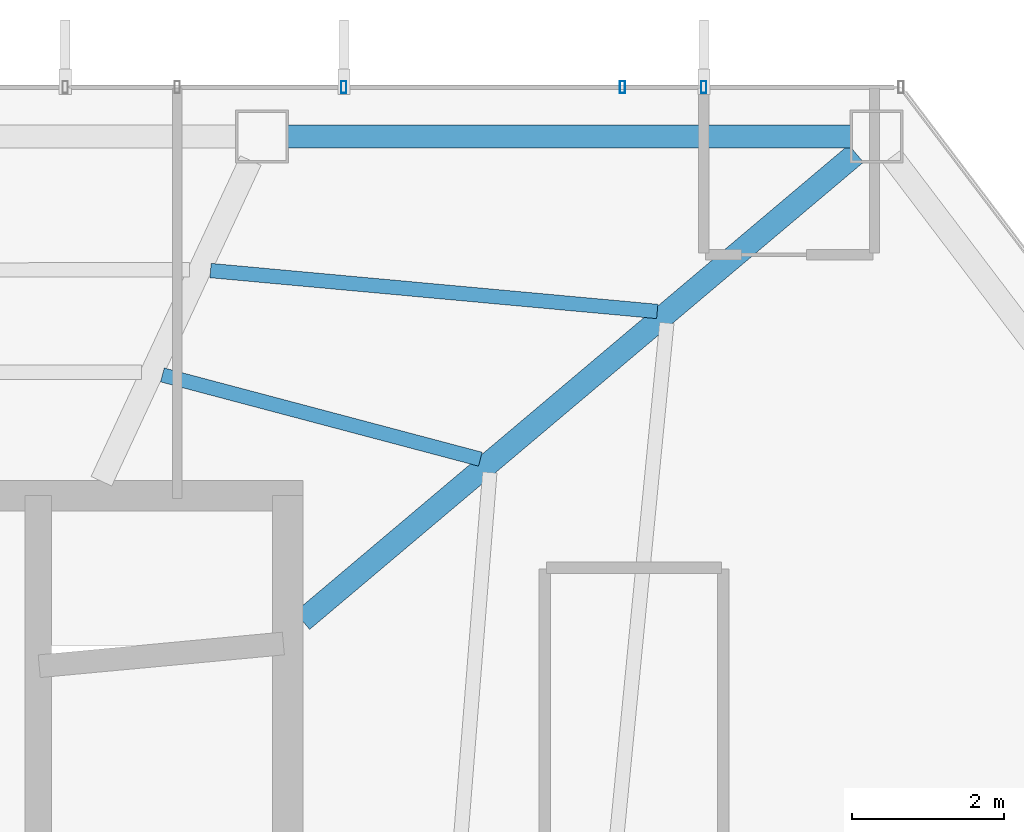
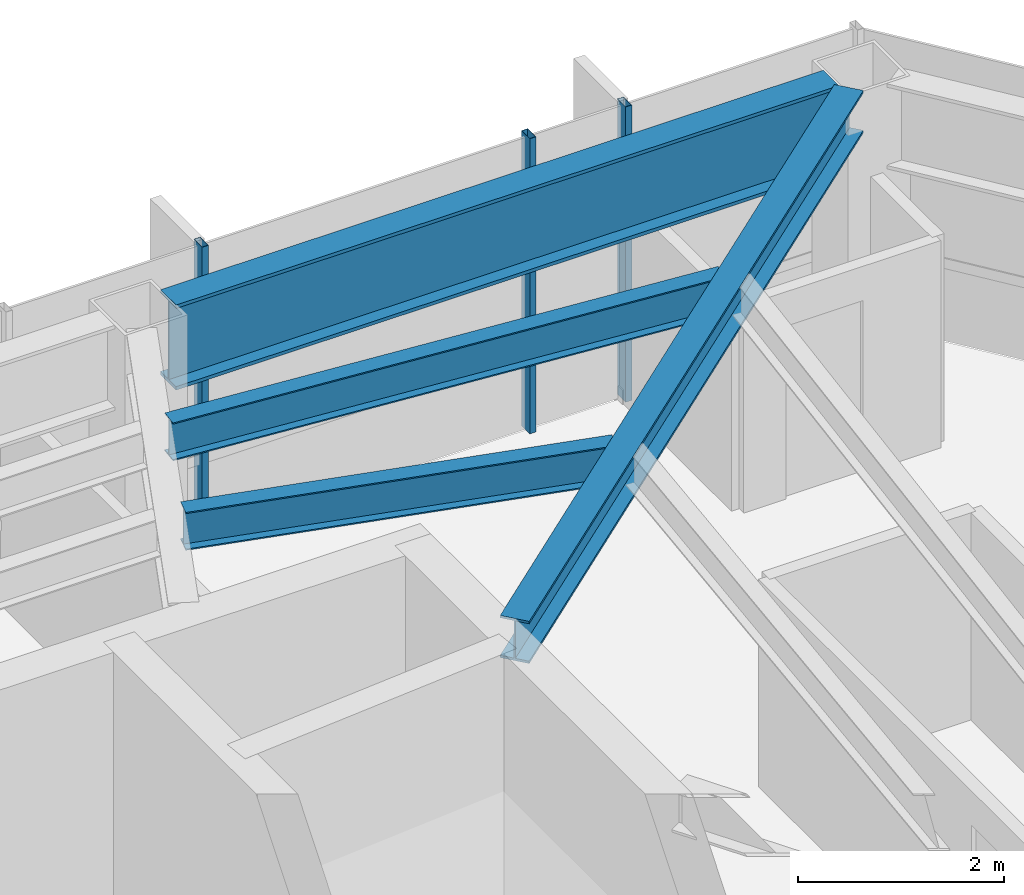
# One storey, part 22 of 28: 4 beams, 3 members, 1 element without a shape of its own.
"""IFC4 building model written with IfcOpenShell, lengths in metres."""

from ifc_helpers import new_model, si_unit, direction, frame, origin, origin_2d, place, context, subcontext, project, spatial, hollow_rectangle, i_section, extrude, material, layer, layer_set, material_profile, profile_set, type_object, element, aggregate, save


model = new_model("IFC4")

# Units and contexts
model_context = context("Model", 3, precision=1e-05, world=origin(), true_north=direction((0.0, 1.0)))
body_context = subcontext(model_context, "Body", "Model", "MODEL_VIEW")
ifc_project = project(units=[si_unit("LENGTHUNIT", "METRE"), si_unit("AREAUNIT", "SQUARE_METRE"), si_unit("VOLUMEUNIT", "CUBIC_METRE"), si_unit("PLANEANGLEUNIT", "RADIAN"), si_unit("MASSUNIT", "GRAM", prefix="KILO")], contexts=[model_context])

# Site, building, storey
site_placement = place(None, origin())
site = spatial("IfcSite", under=ifc_project, at=site_placement, CompositionType="ELEMENT")
building_placement = place(site_placement, origin())
building = spatial("IfcBuilding", under=site, at=building_placement, Name="Zarrinselat Tower", CompositionType="ELEMENT")
storey_placement = place(building_placement, frame((0.0, 0.0, 164.56005859375)))
storey = spatial("IfcBuildingStorey", under=building, at=storey_placement, Name="L40", CompositionType="ELEMENT", Elevation=164.56005859375)

# Beams
ifc_material_1 = material(Name="Steel S355J2", Category="steel")
ifc_material_profile_1 = material_profile(ifc_material_1, i_section(OverallWidth=0.300048828125, OverallDepth=0.5, WebThickness=0.014404296875, FlangeThickness=0.028076171875, at=origin_2d()), Name="HEB 500")
ifc_profile_set_1 = profile_set([ifc_material_profile_1], Name="Steel S355J2")
beam_type_1 = type_object("IfcBeamType", Name="BM-HEB500", PredefinedType="BEAM", material=ifc_profile_set_1)
beam_1_placement = place(storey_placement, frame((48.449951171875, 41.800048828125, 3.25), z_axis=(0.764367026343, 0.644781396319, 0.0), x_axis=(-0.644781396319, 0.764367026343, 0.0)))
element("IfcBeam", 1, at=beam_1_placement, inside=storey, type_object=beam_type_1, Name="L40 Radial Primary Girder RG01", PredefinedType="BEAM", context=body_context, shape_type="SweptSolid", body=[
    extrude(i_section(OverallWidth=0.300048828125, OverallDepth=0.5, WebThickness=0.014404296875, FlangeThickness=0.028076171875, at=origin_2d()), origin(), (0.0, 0.0, 1.0), 9.556396484375),
])
ifc_material_2 = material(Name="Steel S460M", Category="steel")
ifc_material_profile_2 = material_profile(ifc_material_2, i_section(OverallWidth=0.302001953125, OverallDepth=1.008056640625, WebThickness=0.02099609375, FlangeThickness=0.0400390625, at=origin_2d()), Name="HEM 1000")
ifc_profile_set_2 = profile_set([ifc_material_profile_2], Name="Steel S460M")
beam_type_2 = type_object("IfcBeamType", Name="BM-HEM1000", PredefinedType="BEAM", material=ifc_profile_set_2)
beam_2_placement = place(storey_placement, frame((48.25537109375, 48.18896484375, 2.995849609375), z_axis=(1.0, 0.0, 0.0), x_axis=(0.0, 1.0, 0.0)))
element("IfcBeam", 2, at=beam_2_placement, inside=storey, type_object=beam_type_2, Name="L40 Perimeter Spandrel Girder SP01", PredefinedType="BEAM", context=body_context, shape_type="SweptSolid", body=[
    extrude(i_section(OverallWidth=0.302001953125, OverallDepth=1.008056640625, WebThickness=0.02099609375, FlangeThickness=0.0400390625, at=origin_2d()), origin(), (0.0, 0.0, 1.0), 7.430419921875),
])
ifc_material_3 = material(Name="Steel S355J2", Category="steel")
ifc_material_profile_3 = material_profile(ifc_material_3, i_section(OverallWidth=0.18994140625, OverallDepth=0.449951171875, WebThickness=0.009521484375, FlangeThickness=0.0146484375, at=origin_2d()), Name="IPE 450")
ifc_profile_set_3 = profile_set([ifc_material_profile_3], Name="Steel S355J2")
beam_type_3 = type_object("IfcBeamType", Name="BM-IPE450", PredefinedType="JOIST", material=ifc_profile_set_3)
beam_3_placement = place(storey_placement, frame((47.239013671875, 46.4189453125, 3.27490234375), z_axis=(0.995837896542, -0.091142107783, 0.0), x_axis=(0.091142107783, 0.995837896542, 0.0)))
element("IfcBeam", 3, at=beam_3_placement, inside=storey, type_object=beam_type_3, Name="L40 Composite Floor Joist 6-1", PredefinedType="JOIST", context=body_context, shape_type="SweptSolid", body=[
    extrude(i_section(OverallWidth=0.18994140625, OverallDepth=0.449951171875, WebThickness=0.009521484375, FlangeThickness=0.0146484375, at=origin_2d()), origin(), (0.0, 0.0, 1.0), 5.917236328125),
])
beam_4_placement = place(storey_placement, frame((46.604736328125, 45.042236328125, 3.27490234375), z_axis=(0.96662984541, -0.256177169091, 0.0), x_axis=(0.256177169091, 0.96662984541, 0.0)))
element("IfcBeam", 4, at=beam_4_placement, inside=storey, type_object=beam_type_3, Name="L40 Composite Floor Joist 6-2", PredefinedType="JOIST", context=body_context, shape_type="SweptSolid", body=[
    extrude(i_section(OverallWidth=0.18994140625, OverallDepth=0.449951171875, WebThickness=0.009521484375, FlangeThickness=0.0146484375, at=origin_2d()), origin(), (0.0, 0.0, 1.0), 4.338134765625),
])

# Curtain wall, members
ifc_material_4 = material(Name="Extruded Aluminium Alloy EN AW-6063 T6", Category="aluminium")
ifc_layer = layer(ifc_material_4, 0.175048828125)
ifc_layer_set = layer_set([ifc_layer], Name="Extruded Aluminium Alloy EN AW-6063 T6")
curtain_wall_type = type_object("IfcCurtainWallType", Name="CWS-HTL", PredefinedType="NOTDEFINED", material=ifc_layer_set)
curtain_wall_placement = place(storey_placement, origin())
curtain_wall = element("IfcCurtainWall", 5, at=curtain_wall_placement, inside=storey, type_object=curtain_wall_type, Name="L40 Unitised Curtain Wall CW-L40-E01", PredefinedType="NOTDEFINED")
ifc_material_5 = material(Name="Extruded Aluminium Alloy EN AW-6063 T6", Category="aluminium")
ifc_material_profile_4 = material_profile(ifc_material_5, hollow_rectangle(XDim=0.070068359375, YDim=0.159912109375, WallThickness=0.00390625, at=origin_2d()), Name="RHS 160x70x4")
ifc_profile_set_4 = profile_set([ifc_material_profile_4], Name="Extruded Aluminium Alloy EN AW-6063 T6")
member_type = type_object("IfcMemberType", Name="MEM-CW-MUL2", PredefinedType="MULLION", material=ifc_profile_set_4)
member_1_placement = place(storey_placement, frame((53.74609375, 48.8388671875, 0.0), z_axis=(0.0, 0.0, 1.0), x_axis=(-1.0, 0.0, 0.0)))
member_1 = element("IfcMember", 6, at=member_1_placement, type_object=member_type, Name="CW-L40-E01 Mullion 1", PredefinedType="MULLION", context=body_context, shape_type="SweptSolid", body=[
    extrude(hollow_rectangle(XDim=0.070068359375, YDim=0.159912109375, WallThickness=0.00390625, at=origin_2d()), origin(), (0.0, 0.0, 1.0), 3.5),
])
member_2_placement = place(storey_placement, frame((52.672119140625, 48.8388671875, 0.0), z_axis=(0.0, 0.0, 1.0), x_axis=(-1.0, 0.0, 0.0)))
member_2 = element("IfcMember", 7, at=member_2_placement, type_object=member_type, Name="CW-L40-E01 Mullion 2", PredefinedType="MULLION", context=body_context, shape_type="SweptSolid", body=[
    extrude(hollow_rectangle(XDim=0.070068359375, YDim=0.159912109375, WallThickness=0.00390625, at=origin_2d()), origin(), (0.0, 0.0, 1.0), 3.5),
])
member_3_placement = place(storey_placement, frame((48.99755859375, 48.8388671875, 0.0), z_axis=(0.0, 0.0, 1.0), x_axis=(-1.0, 0.0, 0.0)))
member_3 = element("IfcMember", 8, at=member_3_placement, type_object=member_type, Name="CW-L40-E01 Mullion 3", PredefinedType="MULLION", context=body_context, shape_type="SweptSolid", body=[
    extrude(hollow_rectangle(XDim=0.070068359375, YDim=0.159912109375, WallThickness=0.00390625, at=origin_2d()), origin(), (0.0, 0.0, 1.0), 3.5),
])
aggregate(curtain_wall, [member_1, member_2, member_3])

save(model, "model.ifc")
